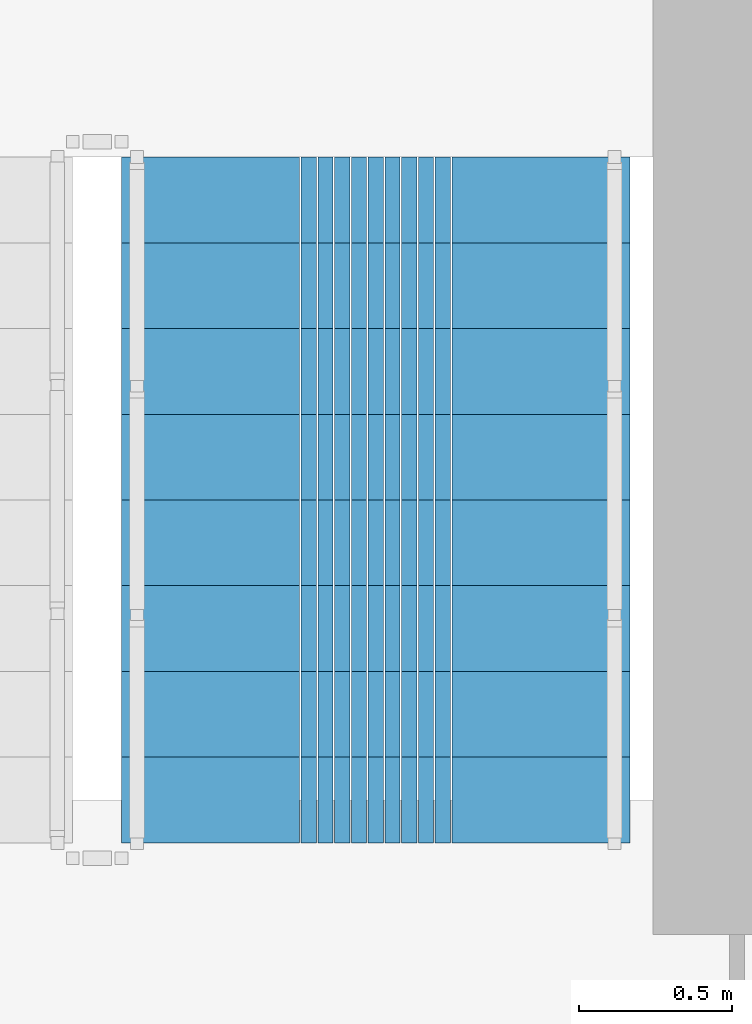
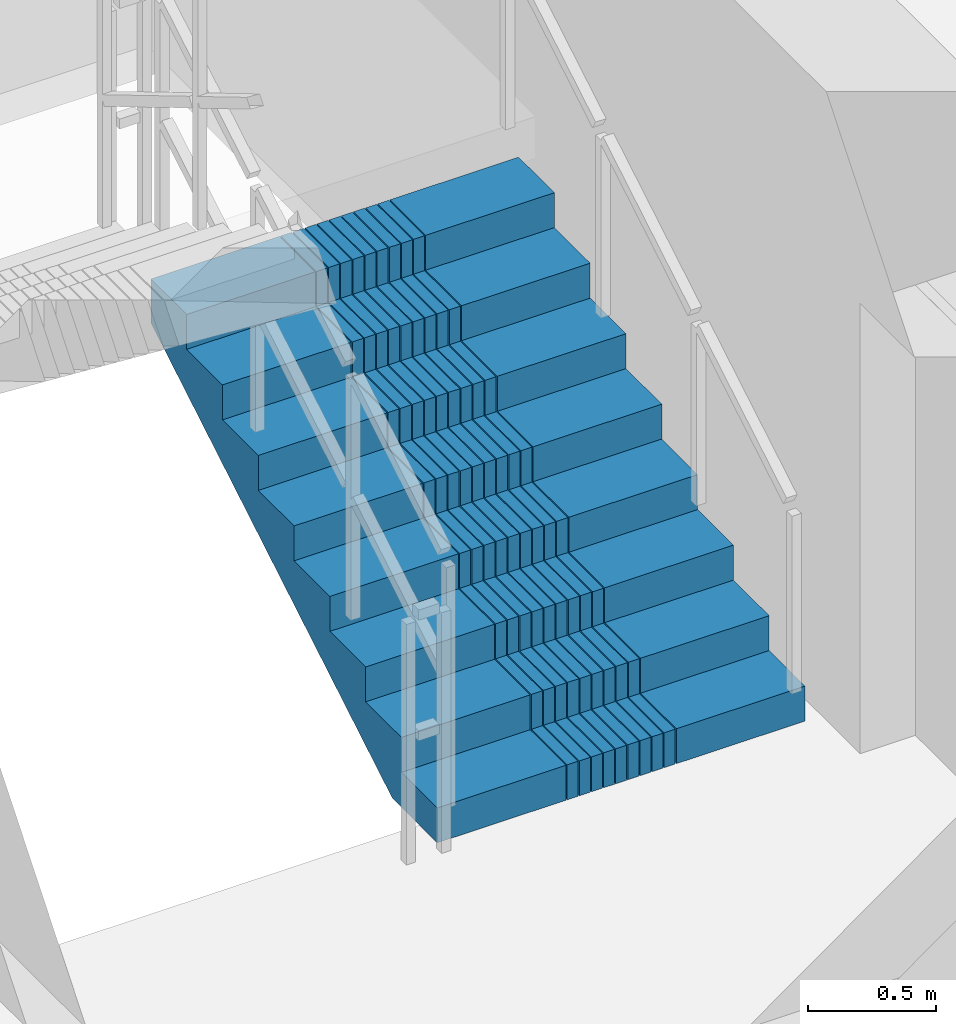
# One storey, part 20 of 24: 1 stair flight, 1 element without a shape of its own.
"""IFC4 building model written with IfcOpenShell, lengths in metres."""

from ifc_helpers import new_model, si_unit, direction, frame, origin, place, context, subcontext, project, spatial, polyline, outline, extrude, material, type_object, element, aggregate, save


model = new_model("IFC4")

# Units and contexts
model_context = context("Model", 3, precision=1e-05, world=origin(), true_north=direction((0.0, 1.0)))
body_context = subcontext(model_context, "Body", "Model", "MODEL_VIEW")
ifc_project = project(units=[si_unit("LENGTHUNIT", "METRE"), si_unit("AREAUNIT", "SQUARE_METRE"), si_unit("VOLUMEUNIT", "CUBIC_METRE"), si_unit("PLANEANGLEUNIT", "RADIAN"), si_unit("MASSUNIT", "GRAM", prefix="KILO")], contexts=[model_context])

# Site, building, storey
site_placement = place(None, origin())
site = spatial("IfcSite", under=ifc_project, at=site_placement, CompositionType="ELEMENT")
building_placement = place(site_placement, origin())
building = spatial("IfcBuilding", under=site, at=building_placement, Name="Saelheon Loggia Tower", CompositionType="ELEMENT")
storey_placement = place(building_placement, frame((0.0, 0.0, 126.75)))
storey = spatial("IfcBuildingStorey", under=building, at=storey_placement, Name="L40", CompositionType="ELEMENT", Elevation=126.75)

# Stair, stair flight
ifc_material = material(Name="Concrete C40/50", Category="concrete")
stair_type = type_object("IfcStairType", Name="Stair_Escape_Core", PredefinedType="HALF_TURN_STAIR", material=ifc_material)
stair_placement = place(storey_placement, origin())
stair = element("IfcStair", 1, at=stair_placement, inside=storey, type_object=stair_type, Name="L40 Special Escape Stair ST2", PredefinedType="HALF_TURN_STAIR")
stair_flight_type = type_object("IfcStairFlightType", Name="StairFlight_Tower_1660", PredefinedType="STRAIGHT", material=ifc_material)
stair_flight_placement = place(storey_placement, frame((43.320068359375, 30.449951171875, 0.0), z_axis=(0.0, 0.0, 1.0), x_axis=(0.0, 1.0, 0.0)))
stair_flight = element("IfcStairFlight", 2, at=stair_flight_placement, type_object=stair_flight_type, Name="ST2 flight 1", NumberOfRisers=9, NumberOfTreads=8, PredefinedType="STRAIGHT", RiserHeight=0.166666667, TreadLength=0.28, context=body_context, shape_type="SweptSolid", body=[
    extrude(outline(polyline([(0.0, 0.0), (0.0, 0.166748046875), (0.280029296875, 0.166748046875), (0.280029296875, 0.333251953125), (0.56005859375, 0.333251953125), (0.56005859375, 0.5), (0.840087890625, 0.5), (0.840087890625, 0.666748046875), (1.1201171875, 0.666748046875), (1.1201171875, 0.833251953125), (1.39990234375, 0.833251953125), (1.39990234375, 1.0), (1.679931640625, 1.0), (1.679931640625, 1.166748046875), (1.9599609375, 1.166748046875), (1.9599609375, 1.333251953125), (2.239990234375, 1.333251953125), (2.239990234375, 1.5), (2.239990234375, 1.1240234375), (0.351806640625, 0.0), (0.0, 0.0)])), frame((0.0, -0.2490234375, 0.0), z_axis=(0.0, -1.0, 0.0), x_axis=(1.0, 0.0, 0.0)), (0.0, 0.0, 1.0), 0.5810546875),
    extrude(outline(polyline([(0.0, 0.0), (0.0, 0.166748046875), (0.280029296875, 0.166748046875), (0.280029296875, 0.333251953125), (0.56005859375, 0.333251953125), (0.56005859375, 0.5), (0.840087890625, 0.5), (0.840087890625, 0.666748046875), (1.1201171875, 0.666748046875), (1.1201171875, 0.833251953125), (1.39990234375, 0.833251953125), (1.39990234375, 1.0), (1.679931640625, 1.0), (1.679931640625, 1.166748046875), (1.9599609375, 1.166748046875), (1.9599609375, 1.333251953125), (2.239990234375, 1.333251953125), (2.239990234375, 1.5), (2.239990234375, 1.1240234375), (0.351806640625, 0.0), (0.0, 0.0)])), frame((0.0, -0.194091796875, 0.0), z_axis=(0.0, -1.0, 0.0), x_axis=(1.0, 0.0, 0.0)), (0.0, 0.0, 1.0), 0.0498046875),
    extrude(outline(polyline([(0.0, 0.0), (0.0, 0.166748046875), (0.280029296875, 0.166748046875), (0.280029296875, 0.333251953125), (0.56005859375, 0.333251953125), (0.56005859375, 0.5), (0.840087890625, 0.5), (0.840087890625, 0.666748046875), (1.1201171875, 0.666748046875), (1.1201171875, 0.833251953125), (1.39990234375, 0.833251953125), (1.39990234375, 1.0), (1.679931640625, 1.0), (1.679931640625, 1.166748046875), (1.9599609375, 1.166748046875), (1.9599609375, 1.333251953125), (2.239990234375, 1.333251953125), (2.239990234375, 1.5), (2.239990234375, 1.1240234375), (0.351806640625, 0.0), (0.0, 0.0)])), frame((0.0, -0.139404296875, 0.0), z_axis=(0.0, -1.0, 0.0), x_axis=(1.0, 0.0, 0.0)), (0.0, 0.0, 1.0), 0.0498046875),
    extrude(outline(polyline([(0.0, 0.0), (0.0, 0.166748046875), (0.280029296875, 0.166748046875), (0.280029296875, 0.333251953125), (0.56005859375, 0.333251953125), (0.56005859375, 0.5), (0.840087890625, 0.5), (0.840087890625, 0.666748046875), (1.1201171875, 0.666748046875), (1.1201171875, 0.833251953125), (1.39990234375, 0.833251953125), (1.39990234375, 1.0), (1.679931640625, 1.0), (1.679931640625, 1.166748046875), (1.9599609375, 1.166748046875), (1.9599609375, 1.333251953125), (2.239990234375, 1.333251953125), (2.239990234375, 1.5), (2.239990234375, 1.1240234375), (0.351806640625, 0.0), (0.0, 0.0)])), frame((0.0, -0.084716796875, 0.0), z_axis=(0.0, -1.0, 0.0), x_axis=(1.0, 0.0, 0.0)), (0.0, 0.0, 1.0), 0.0498046875),
    extrude(outline(polyline([(0.0, 0.0), (0.0, 0.166748046875), (0.280029296875, 0.166748046875), (0.280029296875, 0.333251953125), (0.56005859375, 0.333251953125), (0.56005859375, 0.5), (0.840087890625, 0.5), (0.840087890625, 0.666748046875), (1.1201171875, 0.666748046875), (1.1201171875, 0.833251953125), (1.39990234375, 0.833251953125), (1.39990234375, 1.0), (1.679931640625, 1.0), (1.679931640625, 1.166748046875), (1.9599609375, 1.166748046875), (1.9599609375, 1.333251953125), (2.239990234375, 1.333251953125), (2.239990234375, 1.5), (2.239990234375, 1.1240234375), (0.351806640625, 0.0), (0.0, 0.0)])), frame((0.0, -0.02978515625, 0.0), z_axis=(0.0, -1.0, 0.0), x_axis=(1.0, 0.0, 0.0)), (0.0, 0.0, 1.0), 0.0498046875),
    extrude(outline(polyline([(0.0, 0.0), (0.0, 0.166748046875), (0.280029296875, 0.166748046875), (0.280029296875, 0.333251953125), (0.56005859375, 0.333251953125), (0.56005859375, 0.5), (0.840087890625, 0.5), (0.840087890625, 0.666748046875), (1.1201171875, 0.666748046875), (1.1201171875, 0.833251953125), (1.39990234375, 0.833251953125), (1.39990234375, 1.0), (1.679931640625, 1.0), (1.679931640625, 1.166748046875), (1.9599609375, 1.166748046875), (1.9599609375, 1.333251953125), (2.239990234375, 1.333251953125), (2.239990234375, 1.5), (2.239990234375, 1.1240234375), (0.351806640625, 0.0), (0.0, 0.0)])), frame((0.0, 0.02490234375, 0.0), z_axis=(0.0, -1.0, 0.0), x_axis=(1.0, 0.0, 0.0)), (0.0, 0.0, 1.0), 0.0498046875),
    extrude(outline(polyline([(0.0, 0.0), (0.0, 0.166748046875), (0.280029296875, 0.166748046875), (0.280029296875, 0.333251953125), (0.56005859375, 0.333251953125), (0.56005859375, 0.5), (0.840087890625, 0.5), (0.840087890625, 0.666748046875), (1.1201171875, 0.666748046875), (1.1201171875, 0.833251953125), (1.39990234375, 0.833251953125), (1.39990234375, 1.0), (1.679931640625, 1.0), (1.679931640625, 1.166748046875), (1.9599609375, 1.166748046875), (1.9599609375, 1.333251953125), (2.239990234375, 1.333251953125), (2.239990234375, 1.5), (2.239990234375, 1.1240234375), (0.351806640625, 0.0), (0.0, 0.0)])), frame((0.0, 0.07958984375, 0.0), z_axis=(0.0, -1.0, 0.0), x_axis=(1.0, 0.0, 0.0)), (0.0, 0.0, 1.0), 0.0498046875),
    extrude(outline(polyline([(0.0, 0.0), (0.0, 0.166748046875), (0.280029296875, 0.166748046875), (0.280029296875, 0.333251953125), (0.56005859375, 0.333251953125), (0.56005859375, 0.5), (0.840087890625, 0.5), (0.840087890625, 0.666748046875), (1.1201171875, 0.666748046875), (1.1201171875, 0.833251953125), (1.39990234375, 0.833251953125), (1.39990234375, 1.0), (1.679931640625, 1.0), (1.679931640625, 1.166748046875), (1.9599609375, 1.166748046875), (1.9599609375, 1.333251953125), (2.239990234375, 1.333251953125), (2.239990234375, 1.5), (2.239990234375, 1.1240234375), (0.351806640625, 0.0), (0.0, 0.0)])), frame((0.0, 0.134521484375, 0.0), z_axis=(0.0, -1.0, 0.0), x_axis=(1.0, 0.0, 0.0)), (0.0, 0.0, 1.0), 0.0498046875),
    extrude(outline(polyline([(0.0, 0.0), (0.0, 0.166748046875), (0.280029296875, 0.166748046875), (0.280029296875, 0.333251953125), (0.56005859375, 0.333251953125), (0.56005859375, 0.5), (0.840087890625, 0.5), (0.840087890625, 0.666748046875), (1.1201171875, 0.666748046875), (1.1201171875, 0.833251953125), (1.39990234375, 0.833251953125), (1.39990234375, 1.0), (1.679931640625, 1.0), (1.679931640625, 1.166748046875), (1.9599609375, 1.166748046875), (1.9599609375, 1.333251953125), (2.239990234375, 1.333251953125), (2.239990234375, 1.5), (2.239990234375, 1.1240234375), (0.351806640625, 0.0), (0.0, 0.0)])), frame((0.0, 0.189208984375, 0.0), z_axis=(0.0, -1.0, 0.0), x_axis=(1.0, 0.0, 0.0)), (0.0, 0.0, 1.0), 0.0498046875),
    extrude(outline(polyline([(0.0, 0.0), (0.0, 0.166748046875), (0.280029296875, 0.166748046875), (0.280029296875, 0.333251953125), (0.56005859375, 0.333251953125), (0.56005859375, 0.5), (0.840087890625, 0.5), (0.840087890625, 0.666748046875), (1.1201171875, 0.666748046875), (1.1201171875, 0.833251953125), (1.39990234375, 0.833251953125), (1.39990234375, 1.0), (1.679931640625, 1.0), (1.679931640625, 1.166748046875), (1.9599609375, 1.166748046875), (1.9599609375, 1.333251953125), (2.239990234375, 1.333251953125), (2.239990234375, 1.5), (2.239990234375, 1.1240234375), (0.351806640625, 0.0), (0.0, 0.0)])), frame((0.0, 0.243896484375, 0.0), z_axis=(0.0, -1.0, 0.0), x_axis=(1.0, 0.0, 0.0)), (0.0, 0.0, 1.0), 0.0498046875),
    extrude(outline(polyline([(0.0, 0.0), (0.0, 0.166748046875), (0.280029296875, 0.166748046875), (0.280029296875, 0.333251953125), (0.56005859375, 0.333251953125), (0.56005859375, 0.5), (0.840087890625, 0.5), (0.840087890625, 0.666748046875), (1.1201171875, 0.666748046875), (1.1201171875, 0.833251953125), (1.39990234375, 0.833251953125), (1.39990234375, 1.0), (1.679931640625, 1.0), (1.679931640625, 1.166748046875), (1.9599609375, 1.166748046875), (1.9599609375, 1.333251953125), (2.239990234375, 1.333251953125), (2.239990234375, 1.5), (2.239990234375, 1.1240234375), (0.351806640625, 0.0), (0.0, 0.0)])), frame((0.0, 0.830078125, 0.0), z_axis=(0.0, -1.0, 0.0), x_axis=(1.0, 0.0, 0.0)), (0.0, 0.0, 1.0), 0.5810546875),
])
aggregate(stair, [stair_flight])

save(model, "model.ifc")
